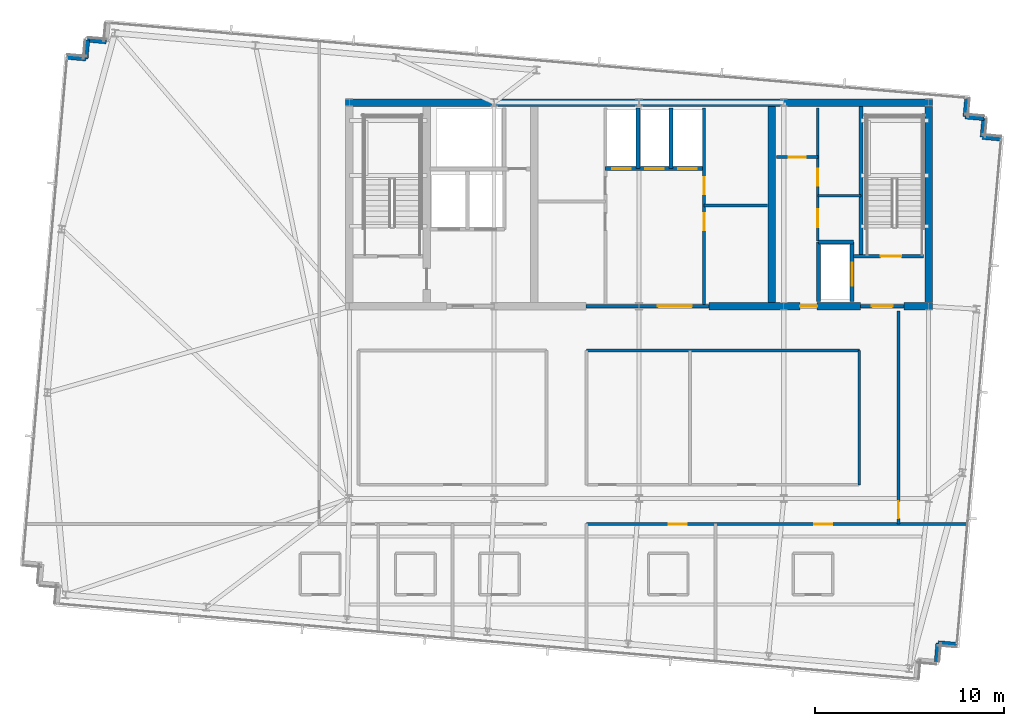
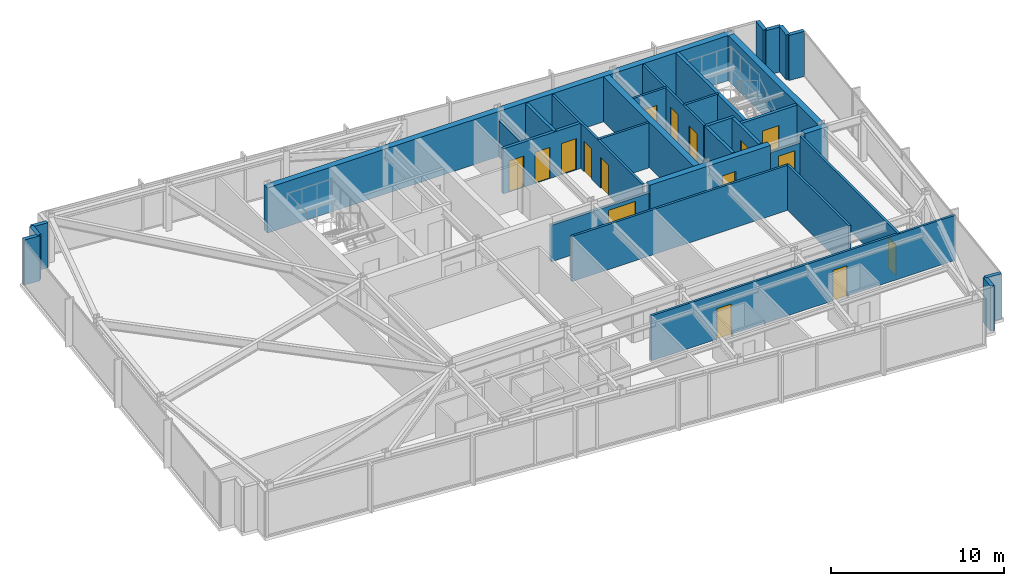
# One storey, part 28 of 33: 33 walls, 16 doors, 16 openings.
"""IFC4 building model written with IfcOpenShell, lengths in metres."""

from ifc_helpers import new_model, si_unit, direction, frame, frame_2d, origin, place, context, subcontext, project, spatial, rectangle, extrude, material, layer, layer_set, type_object, element, fill, save


model = new_model("IFC4")

# Units and contexts
model_context = context("Model", 3, precision=1e-05, world=origin(), true_north=direction((0.0, 1.0)))
body_context = subcontext(model_context, "Body", "Model", "MODEL_VIEW")
ifc_project = project(units=[si_unit("LENGTHUNIT", "METRE"), si_unit("AREAUNIT", "SQUARE_METRE"), si_unit("VOLUMEUNIT", "CUBIC_METRE"), si_unit("PLANEANGLEUNIT", "RADIAN"), si_unit("MASSUNIT", "GRAM", prefix="KILO")], contexts=[model_context])

# Site, building, storey
site_placement = place(None, origin())
site = spatial("IfcSite", under=ifc_project, at=site_placement, CompositionType="ELEMENT")
building_placement = place(site_placement, origin())
building = spatial("IfcBuilding", under=site, at=building_placement, Name="Yelkora Congress Tower", CompositionType="ELEMENT")
storey_placement = place(building_placement, frame((0.0, 0.0, 286.300048828125)))
storey = spatial("IfcBuildingStorey", under=building, at=storey_placement, Name="L80", CompositionType="ELEMENT", Elevation=286.300048828125)

# Walls
ifc_material_1 = material(Name="Concrete C50/60", Category="concrete")
ifc_layer_1 = layer(ifc_material_1, 0.219970703125)
ifc_layer_set_1 = layer_set([ifc_layer_1], Name="Concrete C50/60")
wall_type_1 = type_object("IfcWallType", Name="WALL-CORE-INT-220", PredefinedType="SHEAR", material=ifc_layer_set_1)
wall_1_placement = place(storey_placement, frame((50.179931640625, 38.050048828125, 0.0), z_axis=(0.0, 0.0, 1.0), x_axis=(0.0, 1.0, 0.0)))
element("IfcWall", 1, at=wall_1_placement, inside=storey, type_object=wall_type_1, Name="L80 ST02 West Stair Shear Wall", PredefinedType="SHEAR", context=body_context, shape_type="SweptSolid", body=[
    extrude(rectangle(XDim=7.949951171875, YDim=0.219970703125, at=frame_2d((3.97509765625, 0.0))), origin(), (0.0, 0.0, 1.0), 3.179931640625),
])
ifc_layer_2 = layer(ifc_material_1, 0.39990234375)
ifc_layer_set_2 = layer_set([ifc_layer_2], Name="Concrete C50/60")
wall_type_2 = type_object("IfcWallType", Name="WALL-CORE-INT-400", PredefinedType="SHEAR", material=ifc_layer_set_2)
wall_2_placement = place(storey_placement, frame((22.840087890625, 46.199951171875, 0.0), z_axis=(0.0, 0.0, 1.0), x_axis=(1.0, 0.0, 0.0)))
element("IfcWall", 2, at=wall_2_placement, inside=storey, type_object=wall_type_2, Name="L80 Rear Core North Shear Wall", PredefinedType="SHEAR", context=body_context, shape_type="SweptSolid", body=[
    extrude(rectangle(XDim=31.119873046875, YDim=0.39990234375, at=frame_2d((15.56005859375, 0.0))), origin(), (0.0, 0.0, 1.0), 3.179931640625),
])

# Wall, opening, door
wall_3_placement = place(storey_placement, frame((42.10009765625, 35.39990234375, 0.0), z_axis=(0.0, 0.0, 1.0), x_axis=(1.0, 0.0, 0.0)))
wall_3 = element("IfcWall", 3, at=wall_3_placement, inside=storey, type_object=wall_type_2, Name="L80 Rear Core South-East Shear Wall A", PredefinedType="SHEAR", context=body_context, shape_type="SweptSolid", body=[
    extrude(rectangle(XDim=8.0498046875, YDim=0.39990234375, at=frame_2d((4.02490234375, 0.0))), origin(), (0.0, 0.0, 1.0), 3.179931640625),
])
opening_1_placement = place(wall_3_placement, frame((4.85009765625, 0.0, 0.0)))
opening_1 = element("IfcOpeningElement", 4, at=opening_1_placement, cuts=wall_3, Name="Opening DR-090F6", PredefinedType="OPENING", context=body_context, shape_type="SweptSolid", body=[
    extrude(rectangle(XDim=0.89990234375, YDim=2.14990234375, at=frame_2d((0.449951171875, 1.074951171875))), frame((0.0, 0.2099609375, 0.0), z_axis=(0.0, -1.0, 0.0), x_axis=(1.0, 0.0, 0.0)), (0.0, 0.0, 1.0), 0.419921875),
])
ifc_material_2 = material(Name="Painted steel riser fire door leaf", Category="steel")
door_type_1 = type_object("IfcDoorType", Name="DOOR-FD60-900", OperationType="NOTDEFINED", PredefinedType="DOOR", material=ifc_material_2)
door_1_placement = place(opening_1_placement, origin())
door_1 = element("IfcDoor", 5, at=door_1_placement, inside=storey, type_object=door_type_1, Name="L80 Core Washroom Lobby Door", OperationType="SINGLE_SWING_RIGHT", OverallHeight=2.14990234375, OverallWidth=0.89990234375, PredefinedType="DOOR", context=body_context, shape_type="SweptSolid", body=[
    extrude(rectangle(XDim=0.89990234375, YDim=2.14990234375, at=frame_2d((0.449951171875, 1.074951171875))), frame((0.0, 0.02490234375, 0.0), z_axis=(0.0, -1.0, 0.0), x_axis=(1.0, 0.0, 0.0)), (0.0, 0.0, 1.0), 0.050048828125),
])
fill(opening_1, door_1)

# Walls
wall_4_placement = place(storey_placement, frame((52.449951171875, 35.39990234375, 0.0), z_axis=(0.0, 0.0, 1.0), x_axis=(1.0, 0.0, 0.0)))
element("IfcWall", 6, at=wall_4_placement, inside=storey, type_object=wall_type_2, Name="L80 Rear Core South-East Shear Wall B", PredefinedType="SHEAR", context=body_context, shape_type="SweptSolid", body=[
    extrude(rectangle(XDim=1.510009765625, YDim=0.39990234375, at=frame_2d((0.7548828125, 0.0))), origin(), (0.0, 0.0, 1.0), 3.179931640625),
])
for number, where, z_axis, x_axis, name in (
    (7, (45.449951171875, 35.60009765625, 0.0), (0.0, 0.0, 1.0), (0.0, 1.0, 0.0), "L80 Rear Core Cross Shear Wall C3"),
    (8, (53.760009765625, 35.60009765625, 0.0), (0.0, 0.0, 1.0), (0.0, 1.0, 0.0), "L80 Rear Core Cross Shear Wall E"),
):
    element("IfcWall", number, at=place(storey_placement, frame(where, z_axis=z_axis, x_axis=x_axis)), inside=storey, type_object=wall_type_2, Name=name, PredefinedType="SHEAR", context=body_context, shape_type="SweptSolid", body=[
        extrude(rectangle(XDim=10.39990234375, YDim=0.39990234375, at=frame_2d((5.199951171875, 0.0))), origin(), (0.0, 0.0, 1.0), 3.179931640625),
    ])
ifc_material_3 = material(Name="Concrete C40/50", Category="concrete")
ifc_layer_3 = layer(ifc_material_3, 0.239990234375)
ifc_layer_set_3 = layer_set([ifc_layer_3], Name="Concrete C40/50")
wall_type_3 = type_object("IfcWallType", Name="WALL-EXT-LIMESTONE-240", PredefinedType="SOLIDWALL", material=ifc_layer_set_3)
for number, where, z_axis, x_axis, name in (
    (9, (8.0732421875, 48.609619140625, 0.0), (0.0, 0.0, 1.0), (0.996195572005, -0.087145753297, 0.0), "L80 Serrated Corner Limestone Pier 6"),
    (10, (9.069580078125, 48.5224609375, 0.0), (0.0, 0.0, 1.0), (0.087145753297, 0.996195572005, 0.0), "L80 Serrated Corner Limestone Pier 7"),
):
    element("IfcWall", number, at=place(storey_placement, frame(where, z_axis=z_axis, x_axis=x_axis)), inside=storey, type_object=wall_type_3, Name=name, PredefinedType="SOLIDWALL", context=body_context, shape_type="SweptSolid", body=[
        extrude(rectangle(XDim=1.000244140625, YDim=0.239990234375, at=frame_2d((0.5, 0.0))), origin(), (0.0, 0.0, 1.0), 3.179931640625),
    ])
for number, where, z_axis, x_axis, name in (
    (11, (9.15673828125, 49.518798828125, 0.0), (0.0, 0.0, 1.0), (0.996193717496, -0.087166950281, 0.0), "L80 Serrated Corner Limestone Pier 8"),
    (12, (55.785888671875, 46.443115234375, 0.0), (0.0, 0.0, 1.0), (-0.086903493655, -0.996216734848, 0.0), "L80 Serrated Corner Limestone Pier 11"),
    (13, (55.698974609375, 45.44677734375, 0.0), (0.0, 0.0, 1.0), (0.996193717496, -0.087166950281, 0.0), "L80 Serrated Corner Limestone Pier 12"),
    (14, (56.695068359375, 45.359619140625, 0.0), (0.0, 0.0, 1.0), (-0.087166950281, -0.996193717496, 0.0), "L80 Serrated Corner Limestone Pier 13"),
    (15, (56.60791015625, 44.363525390625, 0.0), (0.0, 0.0, 1.0), (0.996193717496, -0.087166950281, 0.0), "L80 Serrated Corner Limestone Pier 14"),
    (16, (55.2578125, 17.458740234375, 0.0), (0.0, 0.0, 1.0), (-0.996193717496, 0.087166950281, 0.0), "L80 Serrated Corner Limestone Pier 16"),
    (17, (54.26171875, 17.5458984375, 0.0), (0.0, 0.0, 1.0), (-0.087166950281, -0.996193717496, 0.0), "L80 Serrated Corner Limestone Pier 17"),
):
    element("IfcWall", number, at=place(storey_placement, frame(where, z_axis=z_axis, x_axis=x_axis)), inside=storey, type_object=wall_type_3, Name=name, PredefinedType="SOLIDWALL", context=body_context, shape_type="SweptSolid", body=[
        extrude(rectangle(XDim=1.0, YDim=0.239990234375, at=frame_2d((0.5, 0.0))), origin(), (0.0, 0.0, 1.0), 3.179931640625),
    ])

# Wall, opening, door
ifc_material_4 = material(Name="Acoustic metal-stud gypsum partition", Category="gypsum")
ifc_layer_4 = layer(ifc_material_4, 0.14990234375)
ifc_layer_set_4 = layer_set([ifc_layer_4], Name="Acoustic metal-stud gypsum partition")
wall_type_4 = type_object("IfcWallType", Name="WALL-INT-150-NR", PredefinedType="PARTITIONING", material=ifc_layer_set_4)
wall_5_placement = place(storey_placement, frame((45.679931640625, 43.31005859375, 0.0), z_axis=(0.0, 0.0, 1.0), x_axis=(1.0, 0.0, 0.0)))
wall_5 = element("IfcWall", 18, at=wall_5_placement, inside=storey, type_object=wall_type_4, Name="L80 Partition Wall 20", PredefinedType="PARTITIONING", context=body_context, shape_type="SweptSolid", body=[
    extrude(rectangle(XDim=2.199951171875, YDim=0.14990234375, at=frame_2d((1.10009765625, 0.0))), origin(), (0.0, 0.0, 1.0), 3.179931640625),
])
opening_2_placement = place(wall_5_placement, frame((0.64990234375, 0.0, 0.0)))
opening_2 = element("IfcOpeningElement", 19, at=opening_2_placement, cuts=wall_5, Name="Opening DR-090N", PredefinedType="OPENING", context=body_context, shape_type="SweptSolid", body=[
    extrude(rectangle(XDim=0.89990234375, YDim=2.14990234375, at=frame_2d((0.449951171875, 1.074951171875))), frame((0.0, 0.0849609375, 0.0), z_axis=(0.0, -1.0, 0.0), x_axis=(1.0, 0.0, 0.0)), (0.0, 0.0, 1.0), 0.169921875),
])
ifc_material_5 = material(Name="Moisture-resistant laminate door leaf", Category="wood")
door_type_2 = type_object("IfcDoorType", Name="DOOR-INT-900", OperationType="NOTDEFINED", PredefinedType="DOOR", material=ifc_material_5)
door_2_placement = place(opening_2_placement, origin())
door_2 = element("IfcDoor", 20, at=door_2_placement, inside=storey, type_object=door_type_2, Name="L80 Male WC Door", OperationType="SINGLE_SWING_LEFT", OverallHeight=2.14990234375, OverallWidth=0.89990234375, PredefinedType="DOOR", context=body_context, shape_type="SweptSolid", body=[
    extrude(rectangle(XDim=0.89990234375, YDim=2.14990234375, at=frame_2d((0.449951171875, 1.074951171875))), frame((0.0, 0.02490234375, 0.0), z_axis=(0.0, -1.0, 0.0), x_axis=(1.0, 0.0, 0.0)), (0.0, 0.0, 1.0), 0.050048828125),
])
fill(opening_2, door_2)

# Wall
wall_6_placement = place(storey_placement, frame((47.8798828125, 41.260009765625, 0.0), z_axis=(0.0, 0.0, 1.0), x_axis=(1.0, 0.0, 0.0)))
element("IfcWall", 21, at=wall_6_placement, inside=storey, type_object=wall_type_4, Name="L80 Partition Wall 21", PredefinedType="PARTITIONING", context=body_context, shape_type="SweptSolid", body=[
    extrude(rectangle(XDim=2.300048828125, YDim=0.14990234375, at=frame_2d((1.14990234375, 0.0))), origin(), (0.0, 0.0, 1.0), 3.179931640625),
])

# Wall, openings, doors
wall_7_placement = place(storey_placement, frame((47.8798828125, 38.85009765625, 0.0), z_axis=(0.0, 0.0, 1.0), x_axis=(0.0, 1.0, 0.0)))
wall_7 = element("IfcWall", 22, at=wall_7_placement, inside=storey, type_object=wall_type_4, Name="L80 Partition Wall 22", PredefinedType="PARTITIONING", context=body_context, shape_type="SweptSolid", body=[
    extrude(rectangle(XDim=7.06982421875, YDim=0.14990234375, at=frame_2d((3.534912109375, 0.0))), origin(), (0.0, 0.0, 1.0), 3.179931640625),
])
opening_3_placement = place(wall_7_placement, frame((0.75, 0.0, 0.0)))
opening_3 = element("IfcOpeningElement", 23, at=opening_3_placement, cuts=wall_7, Name="Opening DR-095N", PredefinedType="OPENING", context=body_context, shape_type="SweptSolid", body=[
    extrude(rectangle(XDim=0.949951171875, YDim=2.14990234375, at=frame_2d((0.47509765625, 1.074951171875))), frame((0.0, 0.0849609375, 0.0), z_axis=(0.0, -1.0, 0.0), x_axis=(1.0, 0.0, 0.0)), (0.0, 0.0, 1.0), 0.169921875),
])
opening_4_placement = place(wall_7_placement, frame((2.949951171875, 0.0, 0.0)))
opening_4 = element("IfcOpeningElement", 24, at=opening_4_placement, cuts=wall_7, Name="Opening DR-090N", PredefinedType="OPENING", context=body_context, shape_type="SweptSolid", body=[
    extrude(rectangle(XDim=0.89990234375, YDim=2.14990234375, at=frame_2d((0.449951171875, 1.074951171875))), frame((0.0, 0.0849609375, 0.0), z_axis=(0.0, -1.0, 0.0), x_axis=(1.0, 0.0, 0.0)), (0.0, 0.0, 1.0), 0.169921875),
])
door_3_placement = place(opening_4_placement, origin())
door_3 = element("IfcDoor", 25, at=door_3_placement, inside=storey, type_object=door_type_2, Name="L80 Female WC Door", OperationType="SINGLE_SWING_LEFT", OverallHeight=2.14990234375, OverallWidth=0.89990234375, PredefinedType="DOOR", context=body_context, shape_type="SweptSolid", body=[
    extrude(rectangle(XDim=0.89990234375, YDim=2.14990234375, at=frame_2d((0.449951171875, 1.074951171875))), frame((0.0, 0.02490234375, 0.0), z_axis=(0.0, -1.0, 0.0), x_axis=(1.0, 0.0, 0.0)), (0.0, 0.0, 1.0), 0.050048828125),
])
fill(opening_4, door_3)
ifc_material_6 = material(Name="Acoustic laminated timber office door", Category="wood")
door_type_3 = type_object("IfcDoorType", Name="DOOR-INT-950", OperationType="NOTDEFINED", PredefinedType="DOOR", material=ifc_material_6)
door_4_placement = place(opening_3_placement, origin())
door_4 = element("IfcDoor", 26, at=door_4_placement, inside=storey, type_object=door_type_3, Name="L80 Accessible WC Door", OperationType="SINGLE_SWING_RIGHT", OverallHeight=2.14990234375, OverallWidth=0.949951171875, PredefinedType="DOOR", context=body_context, shape_type="SweptSolid", body=[
    extrude(rectangle(XDim=0.949951171875, YDim=2.14990234375, at=frame_2d((0.47509765625, 1.074951171875))), frame((0.0, 0.02490234375, 0.0), z_axis=(0.0, -1.0, 0.0), x_axis=(1.0, 0.0, 0.0)), (0.0, 0.0, 1.0), 0.050048828125),
])
fill(opening_3, door_4)

# Wall, opening, door
wall_8_placement = place(storey_placement, frame((52.159912109375, 23.85009765625, 0.0), z_axis=(0.0, 0.0, 1.0), x_axis=(0.0, 1.0, 0.0)))
wall_8 = element("IfcWall", 27, at=wall_8_placement, inside=storey, type_object=wall_type_4, Name="L80 Partition Wall 50", PredefinedType="PARTITIONING", context=body_context, shape_type="SweptSolid", body=[
    extrude(rectangle(XDim=11.289794921875, YDim=0.14990234375, at=frame_2d((5.64501953125, 0.0))), origin(), (0.0, 0.0, 1.0), 3.179931640625),
])
opening_5_placement = place(wall_8_placement, frame((0.300048828125, 0.0, 0.0)))
opening_5 = element("IfcOpeningElement", 28, at=opening_5_placement, cuts=wall_8, Name="Opening DR-090N", PredefinedType="OPENING", context=body_context, shape_type="SweptSolid", body=[
    extrude(rectangle(XDim=0.89990234375, YDim=2.14990234375, at=frame_2d((0.449951171875, 1.074951171875))), frame((0.0, 0.0849609375, 0.0), z_axis=(0.0, -1.0, 0.0), x_axis=(1.0, 0.0, 0.0)), (0.0, 0.0, 1.0), 0.169921875),
])
door_5_placement = place(opening_5_placement, origin())
door_5 = element("IfcDoor", 29, at=door_5_placement, inside=storey, type_object=door_type_2, Name="L80 E Wing Door", OperationType="SINGLE_SWING_LEFT", OverallHeight=2.14990234375, OverallWidth=0.89990234375, PredefinedType="DOOR", context=body_context, shape_type="SweptSolid", body=[
    extrude(rectangle(XDim=0.89990234375, YDim=2.14990234375, at=frame_2d((0.449951171875, 1.074951171875))), frame((0.0, 0.02490234375, 0.0), z_axis=(0.0, -1.0, 0.0), x_axis=(1.0, 0.0, 0.0)), (0.0, 0.0, 1.0), 0.050048828125),
])
fill(opening_5, door_5)

# Walls
wall_9_placement = place(storey_placement, frame((50.080078125, 25.929931640625, 0.0), z_axis=(0.0, 0.0, 1.0), x_axis=(0.0, 1.0, 0.0)))
element("IfcWall", 30, at=wall_9_placement, inside=storey, type_object=wall_type_4, Name="L80 Partition Wall 52", PredefinedType="PARTITIONING", context=body_context, shape_type="SweptSolid", body=[
    extrude(rectangle(XDim=7.1201171875, YDim=0.14990234375, at=frame_2d((3.56005859375, 0.0))), origin(), (0.0, 0.0, 1.0), 3.179931640625),
])
wall_10_placement = place(storey_placement, frame((35.6201171875, 33.050048828125, 0.0), z_axis=(0.0, 0.0, 1.0), x_axis=(1.0, 0.0, 0.0)))
element("IfcWall", 31, at=wall_10_placement, inside=storey, type_object=wall_type_4, Name="L80 Partition Wall 56", PredefinedType="PARTITIONING", context=body_context, shape_type="SweptSolid", body=[
    extrude(rectangle(XDim=14.4599609375, YDim=0.14990234375, at=frame_2d((7.22998046875, 0.0))), origin(), (0.0, 0.0, 1.0), 3.179931640625),
])
ifc_material_7 = material(Name="Twin-stud fire-rated gypsum partition", Category="gypsum")
ifc_layer_5 = layer(ifc_material_7, 0.14990234375)
ifc_layer_set_5 = layer_set([ifc_layer_5], Name="Twin-stud fire-rated gypsum partition")
wall_type_5 = type_object("IfcWallType", Name="WALL-INT-150-R60", PredefinedType="PARTITIONING", material=ifc_layer_set_5)
wall_11_placement = place(storey_placement, frame((41.85009765625, 40.75, 0.0), z_axis=(0.0, 0.0, 1.0), x_axis=(1.0, 0.0, 0.0)))
element("IfcWall", 32, at=wall_11_placement, inside=storey, type_object=wall_type_5, Name="L80 Partition Wall 13", PredefinedType="PARTITIONING", context=body_context, shape_type="SweptSolid", body=[
    extrude(rectangle(XDim=3.369873046875, YDim=0.14990234375, at=frame_2d((1.68505859375, 0.0))), origin(), (0.0, 0.0, 1.0), 3.179931640625),
])

# Wall, openings, doors
wall_12_placement = place(storey_placement, frame((41.85009765625, 35.5, 0.0), z_axis=(0.0, 0.0, 1.0), x_axis=(0.0, 1.0, 0.0)))
wall_12 = element("IfcWall", 33, at=wall_12_placement, inside=storey, type_object=wall_type_5, Name="L80 Partition Wall 14", PredefinedType="PARTITIONING", context=body_context, shape_type="SweptSolid", body=[
    extrude(rectangle(XDim=10.419921875, YDim=0.14990234375, at=frame_2d((5.2099609375, 0.0))), origin(), (0.0, 0.0, 1.0), 3.179931640625),
])
opening_6_placement = place(wall_12_placement, frame((3.919921875, 0.0, 0.0)))
opening_6 = element("IfcOpeningElement", 34, at=opening_6_placement, cuts=wall_12, Name="Opening DR-090F6", PredefinedType="OPENING", context=body_context, shape_type="SweptSolid", body=[
    extrude(rectangle(XDim=0.89990234375, YDim=2.14990234375, at=frame_2d((0.449951171875, 1.074951171875))), frame((0.0, 0.0849609375, 0.0), z_axis=(0.0, -1.0, 0.0), x_axis=(1.0, 0.0, 0.0)), (0.0, 0.0, 1.0), 0.169921875),
])
opening_7_placement = place(wall_12_placement, frame((5.85009765625, 0.0, 0.0)))
opening_7 = element("IfcOpeningElement", 35, at=opening_7_placement, cuts=wall_12, Name="Opening DR-090F6", PredefinedType="OPENING", context=body_context, shape_type="SweptSolid", body=[
    extrude(rectangle(XDim=0.89990234375, YDim=2.14990234375, at=frame_2d((0.449951171875, 1.074951171875))), frame((0.0, 0.0849609375, 0.0), z_axis=(0.0, -1.0, 0.0), x_axis=(1.0, 0.0, 0.0)), (0.0, 0.0, 1.0), 0.169921875),
])
door_6_placement = place(opening_6_placement, origin())
door_6 = element("IfcDoor", 36, at=door_6_placement, inside=storey, type_object=door_type_1, Name="L80 High-Zone BMS Door", OperationType="SINGLE_SWING_RIGHT", OverallHeight=2.14990234375, OverallWidth=0.89990234375, PredefinedType="DOOR", context=body_context, shape_type="SweptSolid", body=[
    extrude(rectangle(XDim=0.89990234375, YDim=2.14990234375, at=frame_2d((0.449951171875, 1.074951171875))), frame((0.0, 0.02490234375, 0.0), z_axis=(0.0, -1.0, 0.0), x_axis=(1.0, 0.0, 0.0)), (0.0, 0.0, 1.0), 0.050048828125),
])
fill(opening_6, door_6)
door_7_placement = place(opening_7_placement, origin())
door_7 = element("IfcDoor", 37, at=door_7_placement, inside=storey, type_object=door_type_1, Name="L80 Linen Store Door", OperationType="SINGLE_SWING_LEFT", OverallHeight=2.14990234375, OverallWidth=0.89990234375, PredefinedType="DOOR", context=body_context, shape_type="SweptSolid", body=[
    extrude(rectangle(XDim=0.89990234375, YDim=2.14990234375, at=frame_2d((0.449951171875, 1.074951171875))), frame((0.0, 0.02490234375, 0.0), z_axis=(0.0, -1.0, 0.0), x_axis=(1.0, 0.0, 0.0)), (0.0, 0.0, 1.0), 0.050048828125),
])
fill(opening_7, door_7)

wall_13_placement = place(storey_placement, frame((35.6201171875, 23.85009765625, 0.0), z_axis=(0.0, 0.0, 1.0), x_axis=(1.0, 0.0, 0.0)))
wall_13 = element("IfcWall", 38, at=wall_13_placement, inside=storey, type_object=wall_type_5, Name="L80 South Spine Wall East", PredefinedType="PARTITIONING", context=body_context, shape_type="SweptSolid", body=[
    extrude(rectangle(XDim=20.257080078125, YDim=0.14990234375, at=frame_2d((10.12841796875, 0.0))), origin(), (0.0, 0.0, 1.0), 3.179931640625),
])
opening_8_placement = place(wall_13_placement, frame((4.364501953125, 0.0, 0.0)))
opening_8 = element("IfcOpeningElement", 39, at=opening_8_placement, cuts=wall_13, Name="Opening DR-095F6", PredefinedType="OPENING", context=body_context, shape_type="SweptSolid", body=[
    extrude(rectangle(XDim=0.949951171875, YDim=2.14990234375, at=frame_2d((0.47509765625, 1.074951171875))), frame((0.0, 0.0849609375, 0.0), z_axis=(0.0, -1.0, 0.0), x_axis=(1.0, 0.0, 0.0)), (0.0, 0.0, 1.0), 0.169921875),
])
opening_9_placement = place(wall_13_placement, frame((12.0859375, 0.0, 0.0)))
opening_9 = element("IfcOpeningElement", 40, at=opening_9_placement, cuts=wall_13, Name="Opening DR-095F6", PredefinedType="OPENING", context=body_context, shape_type="SweptSolid", body=[
    extrude(rectangle(XDim=0.949951171875, YDim=2.14990234375, at=frame_2d((0.47509765625, 1.074951171875))), frame((0.0, 0.0849609375, 0.0), z_axis=(0.0, -1.0, 0.0), x_axis=(1.0, 0.0, 0.0)), (0.0, 0.0, 1.0), 0.169921875),
])
ifc_material_8 = material(Name="Acoustic oak-veneer fire door leaf", Category="wood")
door_type_4 = type_object("IfcDoorType", Name="DOOR-FD60-950", OperationType="NOTDEFINED", PredefinedType="DOOR", material=ifc_material_8)
door_8_placement = place(opening_8_placement, origin())
door_8 = element("IfcDoor", 41, at=door_8_placement, inside=storey, type_object=door_type_4, Name="L80 Hotel Guest Room 05 Entry Door", OperationType="SINGLE_SWING_RIGHT", OverallHeight=2.14990234375, OverallWidth=0.949951171875, PredefinedType="DOOR", context=body_context, shape_type="SweptSolid", body=[
    extrude(rectangle(XDim=0.949951171875, YDim=2.14990234375, at=frame_2d((0.47509765625, 1.074951171875))), frame((0.0, 0.02490234375, 0.0), z_axis=(0.0, -1.0, 0.0), x_axis=(1.0, 0.0, 0.0)), (0.0, 0.0, 1.0), 0.050048828125),
])
fill(opening_8, door_8)
door_9_placement = place(opening_9_placement, origin())
door_9 = element("IfcDoor", 42, at=door_9_placement, inside=storey, type_object=door_type_4, Name="L80 Diplomatic Suite 06 Entry Door", OperationType="SINGLE_SWING_LEFT", OverallHeight=2.14990234375, OverallWidth=0.949951171875, PredefinedType="DOOR", context=body_context, shape_type="SweptSolid", body=[
    extrude(rectangle(XDim=0.949951171875, YDim=2.14990234375, at=frame_2d((0.47509765625, 1.074951171875))), frame((0.0, 0.02490234375, 0.0), z_axis=(0.0, -1.0, 0.0), x_axis=(1.0, 0.0, 0.0)), (0.0, 0.0, 1.0), 0.050048828125),
])
fill(opening_9, door_9)

# Wall, opening, door
ifc_material_9 = material(Name="Autoclaved aerated concrete blockwork", Category="masonry")
ifc_layer_6 = layer(ifc_material_9, 0.199951171875)
ifc_layer_set_6 = layer_set([ifc_layer_6], Name="Autoclaved aerated concrete blockwork")
wall_type_6 = type_object("IfcWallType", Name="WALL-INT-200-R120", PredefinedType="PARTITIONING", material=ifc_layer_set_6)
wall_14_placement = place(storey_placement, frame((35.60009765625, 35.39990234375, 0.0), z_axis=(0.0, 0.0, 1.0), x_axis=(1.0, 0.0, 0.0)))
wall_14 = element("IfcWall", 43, at=wall_14_placement, inside=storey, type_object=wall_type_6, Name="L80 Main Lift Lobby South Portal Wall", PredefinedType="PARTITIONING", context=body_context, shape_type="SweptSolid", body=[
    extrude(rectangle(XDim=6.5, YDim=0.199951171875, at=frame_2d((3.25, 0.0))), origin(), (0.0, 0.0, 1.0), 2.574951171875),
])
opening_10_placement = place(wall_14_placement, frame((3.800048828125, 0.0, 0.0)))
opening_10 = element("IfcOpeningElement", 44, at=opening_10_placement, cuts=wall_14, Name="Opening DR-180D", PredefinedType="OPENING", context=body_context, shape_type="SweptSolid", body=[
    extrude(rectangle(XDim=1.800048828125, YDim=2.300048828125, at=frame_2d((0.89990234375, 1.14990234375))), frame((0.0, 0.10986328125, 0.0), z_axis=(0.0, -1.0, 0.0), x_axis=(1.0, 0.0, 0.0)), (0.0, 0.0, 1.0), 0.219970703125),
])
ifc_material_10 = material(Name="Acoustic double congress hall doors", Category="wood")
door_type_5 = type_object("IfcDoorType", Name="DOOR-DBL-1800", OperationType="DOUBLE_DOOR_SINGLE_SWING", PredefinedType="DOOR", material=ifc_material_10)
door_10_placement = place(opening_10_placement, origin())
door_10 = element("IfcDoor", 45, at=door_10_placement, inside=storey, type_object=door_type_5, Name="L80 Main Lift Lobby Portal Door", OperationType="DOUBLE_DOOR_SINGLE_SWING", OverallHeight=2.300048828125, OverallWidth=1.800048828125, PredefinedType="DOOR", context=body_context, shape_type="SweptSolid", body=[
    extrude(rectangle(XDim=1.800048828125, YDim=2.300048828125, at=frame_2d((0.89990234375, 1.14990234375))), frame((0.0, 0.02490234375, 0.0), z_axis=(0.0, -1.0, 0.0), x_axis=(1.0, 0.0, 0.0)), (0.0, 0.0, 1.0), 0.050048828125),
])
fill(opening_10, door_10)

# Wall, openings, doors
wall_15_placement = place(storey_placement, frame((36.60009765625, 42.699951171875, 0.0), z_axis=(0.0, 0.0, 1.0), x_axis=(1.0, 0.0, 0.0)))
wall_15 = element("IfcWall", 46, at=wall_15_placement, inside=storey, type_object=wall_type_6, Name="L80 Partition Wall 8", PredefinedType="PARTITIONING", context=body_context, shape_type="SweptSolid", body=[
    extrude(rectangle(XDim=5.25, YDim=0.199951171875, at=frame_2d((2.625, 0.0))), origin(), (0.0, 0.0, 1.0), 3.179931640625),
])
opening_11_placement = place(wall_15_placement, frame((0.375, 0.0, 0.0)))
opening_11 = element("IfcOpeningElement", 47, at=opening_11_placement, cuts=wall_15, Name="Opening LD-PS10", PredefinedType="OPENING", context=body_context, shape_type="SweptSolid", body=[
    extrude(rectangle(XDim=1.0, YDim=2.199951171875, at=frame_2d((0.5, 1.10009765625))), frame((0.0, 0.10986328125, 0.0), z_axis=(0.0, -1.0, 0.0), x_axis=(1.0, 0.0, 0.0)), (0.0, 0.0, 1.0), 0.219970703125),
])
opening_12_placement = place(wall_15_placement, frame((2.125, 0.0, 0.0)))
opening_12 = element("IfcOpeningElement", 48, at=opening_12_placement, cuts=wall_15, Name="Opening LD-PS10", PredefinedType="OPENING", context=body_context, shape_type="SweptSolid", body=[
    extrude(rectangle(XDim=1.0, YDim=2.199951171875, at=frame_2d((0.5, 1.10009765625))), frame((0.0, 0.10986328125, 0.0), z_axis=(0.0, -1.0, 0.0), x_axis=(1.0, 0.0, 0.0)), (0.0, 0.0, 1.0), 0.219970703125),
])
opening_13_placement = place(wall_15_placement, frame((3.875, 0.0, 0.0)))
opening_13 = element("IfcOpeningElement", 49, at=opening_13_placement, cuts=wall_15, Name="Opening LD-PS10", PredefinedType="OPENING", context=body_context, shape_type="SweptSolid", body=[
    extrude(rectangle(XDim=1.0, YDim=2.199951171875, at=frame_2d((0.5, 1.10009765625))), frame((0.0, 0.10986328125, 0.0), z_axis=(0.0, -1.0, 0.0), x_axis=(1.0, 0.0, 0.0)), (0.0, 0.0, 1.0), 0.219970703125),
])
ifc_material_11 = material(Name="Champagne stainless steel landing door", Category="steel")
door_type_6 = type_object("IfcDoorType", Name="DOOR-LIFT-PAS-1000", OperationType="DOUBLE_DOOR_SLIDING", PredefinedType="DOOR", material=ifc_material_11)
door_11_placement = place(opening_11_placement, origin())
door_11 = element("IfcDoor", 50, at=door_11_placement, inside=storey, type_object=door_type_6, Name="Lift Landing Door LF-P9 L80", OperationType="DOUBLE_DOOR_SLIDING", OverallHeight=2.199951171875, OverallWidth=1.0, PredefinedType="DOOR", context=body_context, shape_type="SweptSolid", body=[
    extrude(rectangle(XDim=1.0, YDim=2.199951171875, at=frame_2d((0.5, 1.10009765625))), frame((0.0, 0.02490234375, 0.0), z_axis=(0.0, -1.0, 0.0), x_axis=(1.0, 0.0, 0.0)), (0.0, 0.0, 1.0), 0.050048828125),
])
fill(opening_11, door_11)
door_12_placement = place(opening_12_placement, origin())
door_12 = element("IfcDoor", 51, at=door_12_placement, inside=storey, type_object=door_type_6, Name="Lift Landing Door LF-P10 L80", OperationType="DOUBLE_DOOR_SLIDING", OverallHeight=2.199951171875, OverallWidth=1.0, PredefinedType="DOOR", context=body_context, shape_type="SweptSolid", body=[
    extrude(rectangle(XDim=1.0, YDim=2.199951171875, at=frame_2d((0.5, 1.10009765625))), frame((0.0, 0.02490234375, 0.0), z_axis=(0.0, -1.0, 0.0), x_axis=(1.0, 0.0, 0.0)), (0.0, 0.0, 1.0), 0.050048828125),
])
fill(opening_12, door_12)
door_13_placement = place(opening_13_placement, origin())
door_13 = element("IfcDoor", 52, at=door_13_placement, inside=storey, type_object=door_type_6, Name="Lift Landing Door LF-P11 L80", OperationType="DOUBLE_DOOR_SLIDING", OverallHeight=2.199951171875, OverallWidth=1.0, PredefinedType="DOOR", context=body_context, shape_type="SweptSolid", body=[
    extrude(rectangle(XDim=1.0, YDim=2.199951171875, at=frame_2d((0.5, 1.10009765625))), frame((0.0, 0.02490234375, 0.0), z_axis=(0.0, -1.0, 0.0), x_axis=(1.0, 0.0, 0.0)), (0.0, 0.0, 1.0), 0.050048828125),
])
fill(opening_13, door_13)

# Walls
wall_16_placement = place(storey_placement, frame((38.35009765625, 42.699951171875, 0.0), z_axis=(0.0, 0.0, 1.0), x_axis=(0.0, 1.0, 0.0)))
element("IfcWall", 53, at=wall_16_placement, inside=storey, type_object=wall_type_6, Name="L80 Partition Wall 9", PredefinedType="PARTITIONING", context=body_context, shape_type="SweptSolid", body=[
    extrude(rectangle(XDim=3.219970703125, YDim=0.199951171875, at=frame_2d((1.60986328125, 0.0))), origin(), (0.0, 0.0, 1.0), 2.574951171875),
])
wall_17_placement = place(storey_placement, frame((40.10009765625, 42.699951171875, 0.0), z_axis=(0.0, 0.0, 1.0), x_axis=(0.0, 1.0, 0.0)))
element("IfcWall", 54, at=wall_17_placement, inside=storey, type_object=wall_type_6, Name="L80 Partition Wall 10", PredefinedType="PARTITIONING", context=body_context, shape_type="SweptSolid", body=[
    extrude(rectangle(XDim=3.219970703125, YDim=0.199951171875, at=frame_2d((1.60986328125, 0.0))), origin(), (0.0, 0.0, 1.0), 3.179931640625),
])

# Wall, opening, door
wall_18_placement = place(storey_placement, frame((49.780029296875, 38.050048828125, 0.0), z_axis=(0.0, 0.0, 1.0), x_axis=(1.0, 0.0, 0.0)))
wall_18 = element("IfcWall", 55, at=wall_18_placement, inside=storey, type_object=wall_type_6, Name="L80 Stair ST-02 Enclosure Wall", PredefinedType="PARTITIONING", context=body_context, shape_type="SweptSolid", body=[
    extrude(rectangle(XDim=3.719970703125, YDim=0.199951171875, at=frame_2d((1.85986328125, 0.0))), origin(), (0.0, 0.0, 1.0), 3.179931640625),
])
opening_14_placement = place(wall_18_placement, frame((1.436279296875, 0.0, 0.0)))
opening_14 = element("IfcOpeningElement", 56, at=opening_14_placement, cuts=wall_18, Name="Opening DR-110F9", PredefinedType="OPENING", context=body_context, shape_type="SweptSolid", body=[
    extrude(rectangle(XDim=1.10009765625, YDim=2.14990234375, at=frame_2d((0.550048828125, 1.074951171875))), frame((0.0, 0.10986328125, 0.0), z_axis=(0.0, -1.0, 0.0), x_axis=(1.0, 0.0, 0.0)), (0.0, 0.0, 1.0), 0.219970703125),
])
ifc_material_12 = material(Name="Galvanised steel fire door leaf", Category="steel")
door_type_7 = type_object("IfcDoorType", Name="DOOR-FD90-1100", OperationType="NOTDEFINED", PredefinedType="DOOR", material=ifc_material_12)
door_14_placement = place(opening_14_placement, origin())
door_14 = element("IfcDoor", 57, at=door_14_placement, inside=storey, type_object=door_type_7, Name="L80 Stair ST-02 Entry Door", OperationType="SINGLE_SWING_RIGHT", OverallHeight=2.14990234375, OverallWidth=1.10009765625, PredefinedType="DOOR", context=body_context, shape_type="SweptSolid", body=[
    extrude(rectangle(XDim=1.10009765625, YDim=2.14990234375, at=frame_2d((0.550048828125, 1.074951171875))), frame((0.0, 0.02490234375, 0.0), z_axis=(0.0, -1.0, 0.0), x_axis=(1.0, 0.0, 0.0)), (0.0, 0.0, 1.0), 0.050048828125),
])
fill(opening_14, door_14)

wall_19_placement = place(storey_placement, frame((50.14990234375, 35.39990234375, 0.0), z_axis=(0.0, 0.0, 1.0), x_axis=(1.0, 0.0, 0.0)))
wall_19 = element("IfcWall", 58, at=wall_19_placement, inside=storey, type_object=wall_type_6, Name="L80 Partition Wall 16", PredefinedType="PARTITIONING", context=body_context, shape_type="SweptSolid", body=[
    extrude(rectangle(XDim=2.300048828125, YDim=0.199951171875, at=frame_2d((1.14990234375, 0.0))), origin(), (0.0, 0.0, 1.0), 2.574951171875),
])
opening_15_placement = place(wall_19_placement, frame((0.60009765625, 0.0, 0.0)))
opening_15 = element("IfcOpeningElement", 59, at=opening_15_placement, cuts=wall_19, Name="Opening DR-110F9", PredefinedType="OPENING", context=body_context, shape_type="SweptSolid", body=[
    extrude(rectangle(XDim=1.10009765625, YDim=2.14990234375, at=frame_2d((0.550048828125, 1.074951171875))), frame((0.0, 0.10986328125, 0.0), z_axis=(0.0, -1.0, 0.0), x_axis=(1.0, 0.0, 0.0)), (0.0, 0.0, 1.0), 0.219970703125),
])
door_15_placement = place(opening_15_placement, origin())
door_15 = element("IfcDoor", 60, at=door_15_placement, inside=storey, type_object=door_type_7, Name="L80 East Stair Lobby Door", OperationType="SINGLE_SWING_LEFT", OverallHeight=2.14990234375, OverallWidth=1.10009765625, PredefinedType="DOOR", context=body_context, shape_type="SweptSolid", body=[
    extrude(rectangle(XDim=1.10009765625, YDim=2.14990234375, at=frame_2d((0.550048828125, 1.074951171875))), frame((0.0, 0.02490234375, 0.0), z_axis=(0.0, -1.0, 0.0), x_axis=(1.0, 0.0, 0.0)), (0.0, 0.0, 1.0), 0.050048828125),
])
fill(opening_15, door_15)

wall_20_placement = place(storey_placement, frame((49.699951171875, 35.64990234375, 0.0), z_axis=(0.0, 0.0, 1.0), x_axis=(0.0, 1.0, 0.0)))
wall_20 = element("IfcWall", 61, at=wall_20_placement, inside=storey, type_object=wall_type_6, Name="L80 Partition Wall 17", PredefinedType="PARTITIONING", context=body_context, shape_type="SweptSolid", body=[
    extrude(rectangle(XDim=3.150146484375, YDim=0.199951171875, at=frame_2d((1.5751953125, 0.0))), origin(), (0.0, 0.0, 1.0), 3.179931640625),
])
opening_16_placement = place(wall_20_placement, frame((0.85009765625, 0.0, 0.0)))
opening_16 = element("IfcOpeningElement", 62, at=opening_16_placement, cuts=wall_20, Name="Opening LD-SV12", PredefinedType="OPENING", context=body_context, shape_type="SweptSolid", body=[
    extrude(rectangle(XDim=1.199951171875, YDim=2.199951171875, at=frame_2d((0.60009765625, 1.10009765625))), frame((0.0, 0.10986328125, 0.0), z_axis=(0.0, -1.0, 0.0), x_axis=(1.0, 0.0, 0.0)), (0.0, 0.0, 1.0), 0.219970703125),
])
ifc_material_13 = material(Name="Heavy-duty stainless steel landing door", Category="steel")
door_type_8 = type_object("IfcDoorType", Name="DOOR-LIFT-SRV-1200", OperationType="DOUBLE_DOOR_SLIDING", PredefinedType="DOOR", material=ifc_material_13)
door_16_placement = place(opening_16_placement, origin())
door_16 = element("IfcDoor", 63, at=door_16_placement, inside=storey, type_object=door_type_8, Name="Service Lift Landing Door LF-SV1 L80", OperationType="DOUBLE_DOOR_SLIDING", OverallHeight=2.199951171875, OverallWidth=1.199951171875, PredefinedType="DOOR", context=body_context, shape_type="SweptSolid", body=[
    extrude(rectangle(XDim=1.199951171875, YDim=2.199951171875, at=frame_2d((0.60009765625, 1.10009765625))), frame((0.0, 0.02490234375, 0.0), z_axis=(0.0, -1.0, 0.0), x_axis=(1.0, 0.0, 0.0)), (0.0, 0.0, 1.0), 0.050048828125),
])
fill(opening_16, door_16)

# Walls
wall_21_placement = place(storey_placement, frame((47.919921875, 35.64990234375, 0.0), z_axis=(0.0, 0.0, 1.0), x_axis=(0.0, 1.0, 0.0)))
element("IfcWall", 64, at=wall_21_placement, inside=storey, type_object=wall_type_6, Name="L80 Partition Wall 18", PredefinedType="PARTITIONING", context=body_context, shape_type="SweptSolid", body=[
    extrude(rectangle(XDim=3.150146484375, YDim=0.199951171875, at=frame_2d((1.5751953125, 0.0))), origin(), (0.0, 0.0, 1.0), 3.179931640625),
])
wall_22_placement = place(storey_placement, frame((47.919921875, 38.800048828125, 0.0), z_axis=(0.0, 0.0, 1.0), x_axis=(1.0, 0.0, 0.0)))
element("IfcWall", 65, at=wall_22_placement, inside=storey, type_object=wall_type_6, Name="L80 Partition Wall 19", PredefinedType="PARTITIONING", context=body_context, shape_type="SweptSolid", body=[
    extrude(rectangle(XDim=1.860107421875, YDim=0.199951171875, at=frame_2d((0.93017578125, 0.0))), origin(), (0.0, 0.0, 1.0), 3.179931640625),
])

save(model, "model.ifc")
